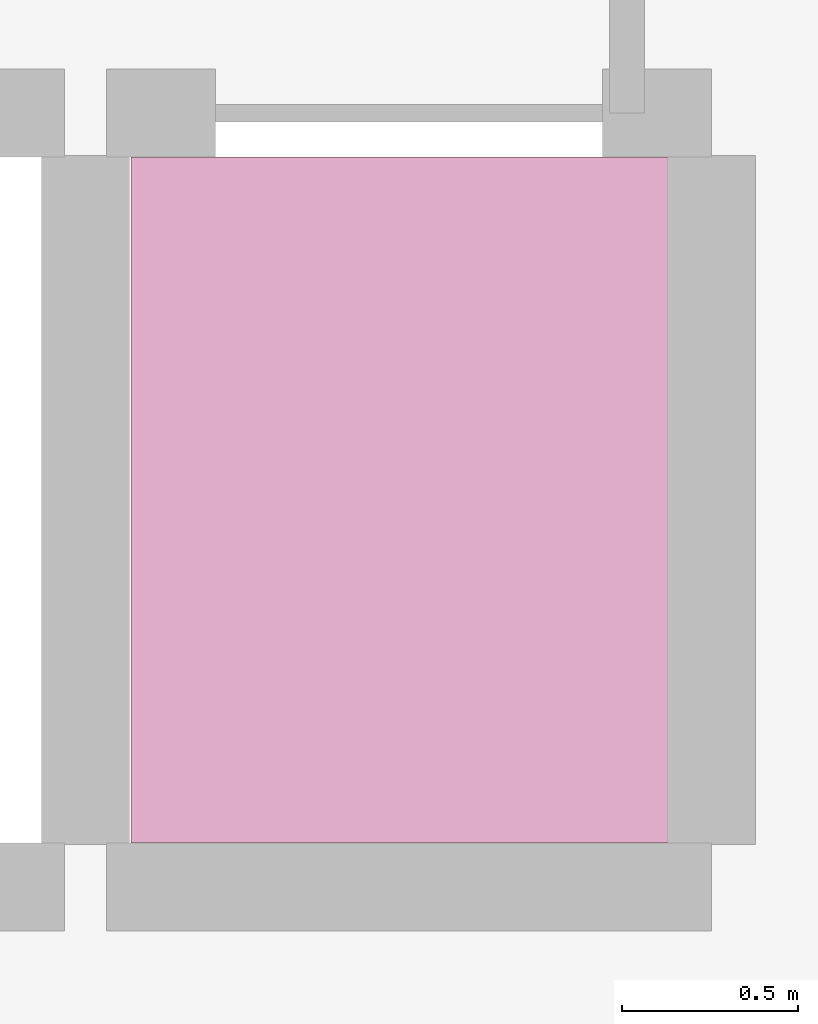
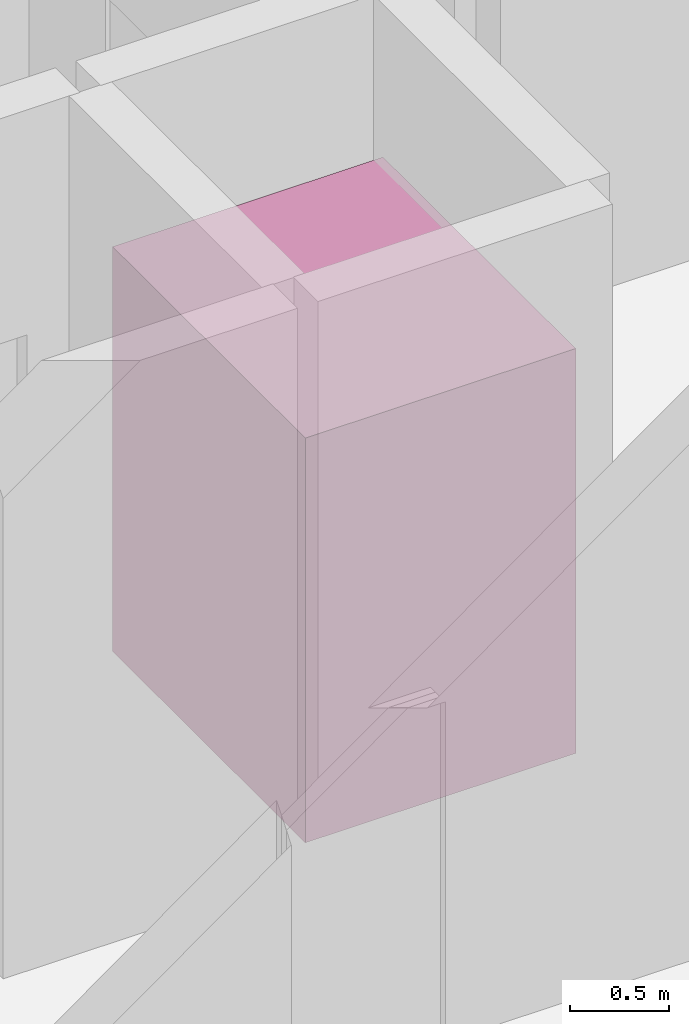
# One storey, part 15 of 15: 1 transport element.
"""IFC4 building model written with IfcOpenShell, lengths in metres."""

from ifc_helpers import new_model, si_unit, direction, frame, origin, origin_2d, place, context, subcontext, project, spatial, rectangle, extrude, material, type_object, element, save


model = new_model("IFC4")

# Units and contexts
model_context = context("Model", 3, precision=1e-05, world=origin(), true_north=direction((0.0, 1.0)))
body_context = subcontext(model_context, "Body", "Model", "MODEL_VIEW")
ifc_project = project(units=[si_unit("LENGTHUNIT", "METRE"), si_unit("AREAUNIT", "SQUARE_METRE"), si_unit("VOLUMEUNIT", "CUBIC_METRE"), si_unit("PLANEANGLEUNIT", "RADIAN"), si_unit("MASSUNIT", "GRAM", prefix="KILO")], contexts=[model_context])

# Site, building, storey
site_placement = place(None, origin())
site = spatial("IfcSite", under=ifc_project, at=site_placement, CompositionType="ELEMENT")
building_placement = place(site_placement, origin())
building = spatial("IfcBuilding", under=site, at=building_placement, Name="Zulverin Broadcast Headquarters", CompositionType="ELEMENT")
storey_placement = place(building_placement, frame((0.0, 0.0, 193.39990234375)))
storey = spatial("IfcBuildingStorey", under=building, at=storey_placement, Name="L49", CompositionType="ELEMENT", Elevation=193.39990234375)

# Transport element
ifc_material = material(Name="Stainless steel & laminated glass elevator car", Category="steel")
transport_element_type = type_object("IfcTransportElementType", Name="LFT-PASS-1600", PredefinedType="ELEVATOR", material=ifc_material)
transport_element_placement = place(storey_placement, frame((36.280029296875, 22.5, 0.02001953125), z_axis=(0.0, 0.0, 1.0), x_axis=(1.0, 0.0, 0.0)))
element("IfcTransportElement", 1, at=transport_element_placement, inside=storey, type_object=transport_element_type, Name="Elevator Car PL-M4 (1600 kg, L00-L55)", PredefinedType="ELEVATOR", context=body_context, shape_type="SweptSolid", body=[
    extrude(rectangle(XDim=1.580078125, YDim=1.949951171875, at=origin_2d()), origin(), (0.0, 0.0, 1.0), 2.5),
])

save(model, "model.ifc")
